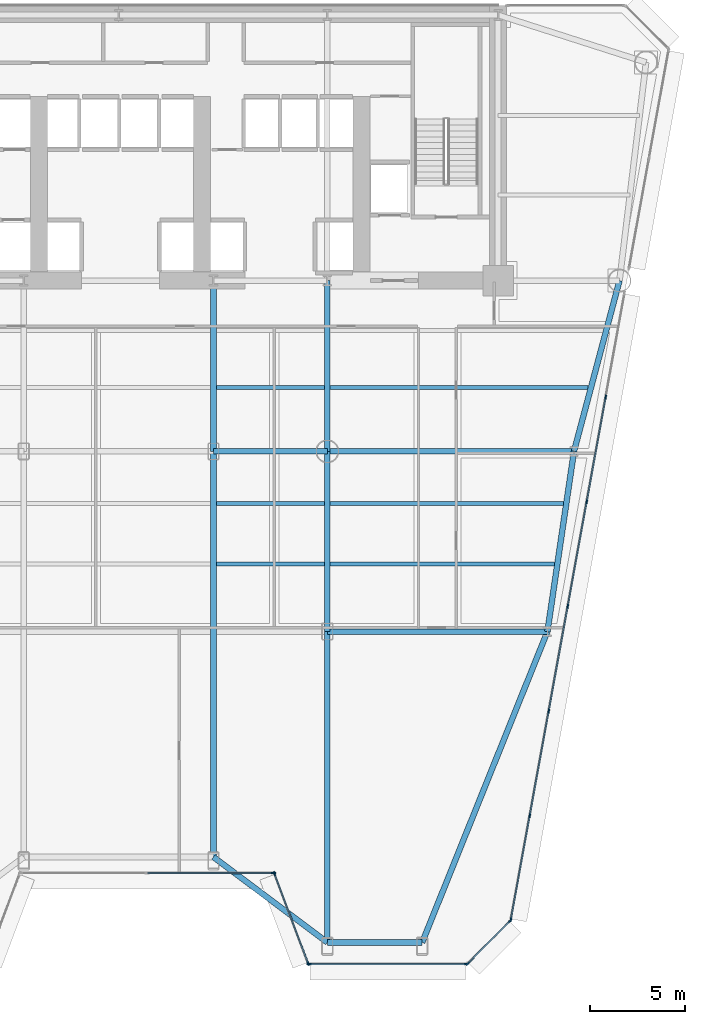
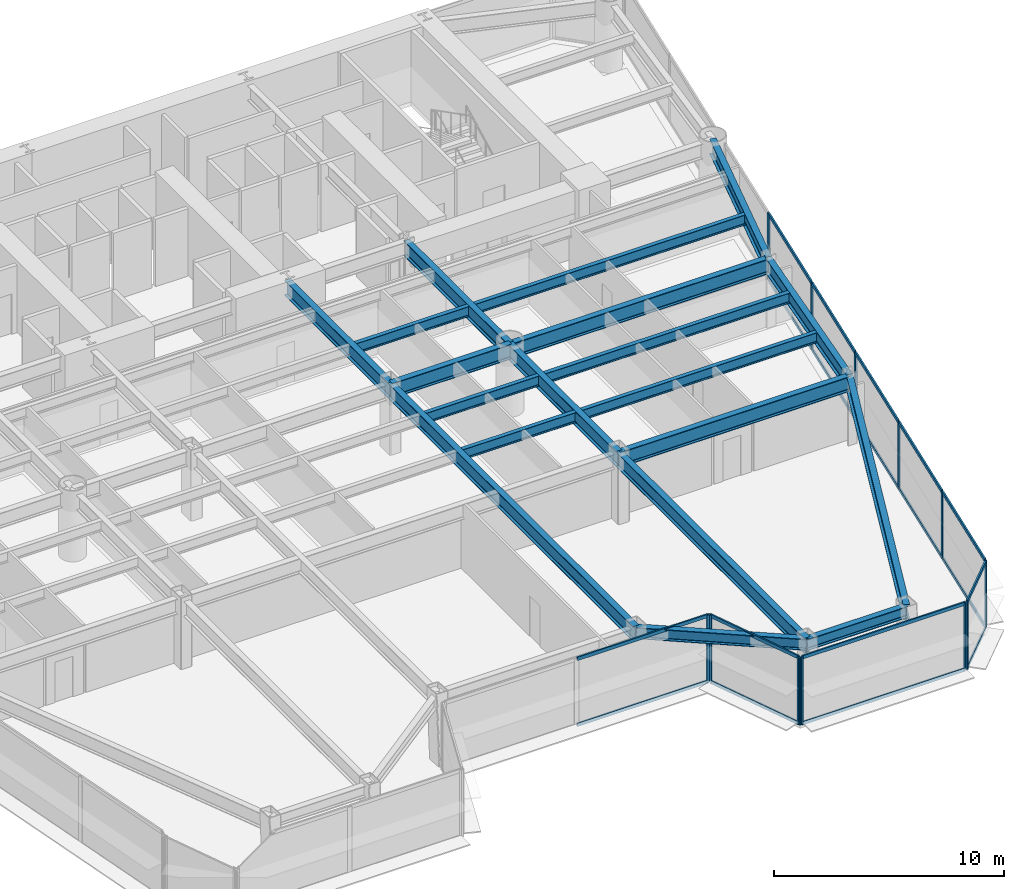
# One storey, part 4 of 14: 31 members, 19 beams, 5 elements without a shape of their own.
"""IFC4 building model written with IfcOpenShell, lengths in metres."""

from ifc_helpers import new_model, si_unit, direction, frame, origin, origin_2d, place, context, subcontext, project, spatial, rectangle, i_section, extrude, source, transform, mapped, material, layer, layer_set, material_profile, profile_set, type_object, element, aggregate, save


model = new_model("IFC4")

# Units and contexts
model_context = context("Model", 3, precision=1e-05, world=origin(), true_north=direction((0.0, 1.0)))
body_context = subcontext(model_context, "Body", "Model", "MODEL_VIEW")
ifc_project = project(units=[si_unit("LENGTHUNIT", "METRE"), si_unit("AREAUNIT", "SQUARE_METRE"), si_unit("VOLUMEUNIT", "CUBIC_METRE"), si_unit("PLANEANGLEUNIT", "RADIAN"), si_unit("MASSUNIT", "GRAM", prefix="KILO")], contexts=[model_context])

# Site, building, storey
site_placement = place(None, origin())
site = spatial("IfcSite", under=ifc_project, at=site_placement, CompositionType="ELEMENT")
building_placement = place(site_placement, origin())
building = spatial("IfcBuilding", under=site, at=building_placement, Name="Vaeldorn Concourse Tower", CompositionType="ELEMENT")
storey_placement = place(building_placement, frame((0.0, 0.0, 26.39990234375)))
storey = spatial("IfcBuildingStorey", under=building, at=storey_placement, Name="L06", CompositionType="ELEMENT", Elevation=26.39990234375)

# Beams
ifc_material_1 = material(Name="Steel S355", Category="steel")
ifc_material_profile_1 = material_profile(ifc_material_1, i_section(OverallWidth=0.300048828125, OverallDepth=0.800048828125, WebThickness=0.017578125, FlangeThickness=0.032958984375, FilletRadius=0.030029296875, at=origin_2d()), Name="HEB 800")
ifc_profile_set_1 = profile_set([ifc_material_profile_1], Name="Steel S355")
beam_type_1 = type_object("IfcBeamType", Name="BM-PG-HEB800", PredefinedType="BEAM", material=ifc_profile_set_1)
shared_shape_1 = source(origin(), body_context, "Body", "SweptSolid", [
    extrude(i_section(OverallWidth=0.300048828125, OverallDepth=0.800048828125, WebThickness=0.017578125, FlangeThickness=0.032958984375, FilletRadius=0.030029296875, at=origin_2d()), origin(), (0.0, 0.0, 1.0), 6.0),
])
beam_1_placement = place(storey_placement, frame((39.0, 27.5, 3.18017578125), z_axis=(1.0, 0.0, 0.0), x_axis=(0.0, 1.0, 0.0)))
element("IfcBeam", 1, at=beam_1_placement, inside=storey, type_object=beam_type_1, Name="Beam BM-L06-C-TW3-C-TW4", PredefinedType="BEAM", context=body_context, shape_type="MappedRepresentation", body=[
    mapped(shared_shape_1, transform((0.0, 0.0, 0.0), scale=1.0)),
])
shared_shape_2 = source(origin(), body_context, "Body", "SweptSolid", [
    extrude(i_section(OverallWidth=0.300048828125, OverallDepth=0.800048828125, WebThickness=0.017578125, FlangeThickness=0.032958984375, FilletRadius=0.030029296875, at=origin_2d()), origin(), (0.0, 0.0, 1.0), 9.0),
])
for number, where, z_axis, x_axis, name in (
    (2, (39.0, 27.5, 3.18017578125), (0.0, 1.0, 0.0), (-1.0, 0.0, 0.0), "Beam BM-L06-C-TW3-C-FC4"),
    (3, (45.0, 27.5, 3.18017578125), (0.0, 1.0, 0.0), (-1.0, 0.0, 0.0), "Beam BM-L06-C-TW4-C-FC5"),
):
    element("IfcBeam", number, at=place(storey_placement, frame(where, z_axis=z_axis, x_axis=x_axis)), inside=storey, type_object=beam_type_1, Name=name, PredefinedType="BEAM", context=body_context, shape_type="MappedRepresentation", body=[
        mapped(shared_shape_2, transform((0.0, 0.0, 0.0), scale=1.0)),
    ])
shared_shape_3 = source(origin(), body_context, "Body", "SweptSolid", [
    extrude(i_section(OverallWidth=0.300048828125, OverallDepth=0.800048828125, WebThickness=0.017578125, FlangeThickness=0.032958984375, FilletRadius=0.030029296875, at=origin_2d()), origin(), (0.0, 0.0, 1.0), 9.314453125),
])
beam_2_placement = place(storey_placement, frame((60.39990234375, 36.5, 3.18017578125), z_axis=(-0.257652862255, -0.966237549763, 0.0), x_axis=(0.966237549763, -0.257652862255, 0.0)))
element("IfcBeam", 4, at=beam_2_placement, inside=storey, type_object=beam_type_1, Name="Beam BM-L06-C-NE2-C-FLE1", PredefinedType="BEAM", context=body_context, shape_type="MappedRepresentation", body=[
    mapped(shared_shape_3, transform((0.0, 0.0, 0.0), scale=1.0)),
])
shared_shape_4 = source(origin(), body_context, "Body", "SweptSolid", [
    extrude(i_section(OverallWidth=0.300048828125, OverallDepth=0.800048828125, WebThickness=0.017578125, FlangeThickness=0.032958984375, FilletRadius=0.030029296875, at=origin_2d()), origin(), (0.0, 0.0, 1.0), 13.0),
])
beam_3_placement = place(storey_placement, frame((45.0, 27.5, 3.18017578125), z_axis=(1.0, 0.0, 0.0), x_axis=(0.0, 1.0, 0.0)))
element("IfcBeam", 5, at=beam_3_placement, inside=storey, type_object=beam_type_1, Name="Beam BM-L06-C-TW4-C-FLE1", PredefinedType="BEAM", context=body_context, shape_type="MappedRepresentation", body=[
    mapped(shared_shape_4, transform((0.0, 0.0, 0.0), scale=1.0)),
])
ifc_material_profile_2 = material_profile(ifc_material_1, i_section(OverallWidth=0.300048828125, OverallDepth=0.60009765625, WebThickness=0.015380859375, FlangeThickness=0.030029296875, FilletRadius=0.027099609375, at=origin_2d()), Name="HEB 600")
ifc_profile_set_2 = profile_set([ifc_material_profile_2], Name="Steel S355")
beam_type_2 = type_object("IfcBeamType", Name="BM-SP-HEB600", PredefinedType="SPANDREL", material=ifc_profile_set_2)
shared_shape_5 = source(origin(), body_context, "Body", "SweptSolid", [
    extrude(i_section(OverallWidth=0.300048828125, OverallDepth=0.60009765625, WebThickness=0.015380859375, FlangeThickness=0.030029296875, FilletRadius=0.027099609375, at=origin_2d()), origin(), (0.0, 0.0, 1.0), 5.0),
])
beam_4_placement = place(storey_placement, frame((45.0, 1.6171875, 3.280029296875), z_axis=(1.0, 0.0, 0.0), x_axis=(0.0, 1.0, 0.0)))
element("IfcBeam", 6, at=beam_4_placement, inside=storey, type_object=beam_type_2, Name="Beam BM-L06-C-SF5-C-SF6", PredefinedType="SPANDREL", context=body_context, shape_type="MappedRepresentation", body=[
    mapped(shared_shape_5, transform((0.0, 0.0, 0.0), scale=1.0)),
])
shared_shape_6 = source(origin(), body_context, "Body", "SweptSolid", [
    extrude(i_section(OverallWidth=0.300048828125, OverallDepth=0.60009765625, WebThickness=0.015380859375, FlangeThickness=0.030029296875, FilletRadius=0.027099609375, at=origin_2d()), origin(), (0.0, 0.0, 1.0), 7.5),
])
beam_5_placement = place(storey_placement, frame((39.0, 6.1171875, 3.280029296875), z_axis=(0.8, -0.6, 0.0), x_axis=(0.6, 0.8, 0.0)))
element("IfcBeam", 7, at=beam_5_placement, inside=storey, type_object=beam_type_2, Name="Beam BM-L06-C-SF4-C-SF5", PredefinedType="SPANDREL", context=body_context, shape_type="MappedRepresentation", body=[
    mapped(shared_shape_6, transform((0.0, 0.0, 0.0), scale=1.0)),
])
shared_shape_7 = source(origin(), body_context, "Body", "SweptSolid", [
    extrude(i_section(OverallWidth=0.300048828125, OverallDepth=0.800048828125, WebThickness=0.017578125, FlangeThickness=0.032958984375, FilletRadius=0.030029296875, at=origin_2d()), origin(), (0.0, 0.0, 1.0), 9.6025390625),
])
beam_6_placement = place(storey_placement, frame((58.0, 27.5, 3.18017578125), z_axis=(-0.145783835977, -0.989316467652, 0.0), x_axis=(0.989316467652, -0.145783835977, 0.0)))
element("IfcBeam", 8, at=beam_6_placement, inside=storey, type_object=beam_type_1, Name="Beam BM-L06-C-FLE1-C-FLE2", PredefinedType="BEAM", context=body_context, shape_type="MappedRepresentation", body=[
    mapped(shared_shape_7, transform((0.0, 0.0, 0.0), scale=1.0)),
])
shared_shape_8 = source(origin(), body_context, "Body", "SweptSolid", [
    extrude(i_section(OverallWidth=0.300048828125, OverallDepth=0.800048828125, WebThickness=0.017578125, FlangeThickness=0.032958984375, FilletRadius=0.030029296875, at=origin_2d()), origin(), (0.0, 0.0, 1.0), 11.60009765625),
])
beam_7_placement = place(storey_placement, frame((45.0, 18.0, 3.18017578125), z_axis=(1.0, 0.0, 0.0), x_axis=(0.0, 1.0, 0.0)))
element("IfcBeam", 9, at=beam_7_placement, inside=storey, type_object=beam_type_1, Name="Beam BM-L06-C-TW6-C-FLE2", PredefinedType="BEAM", context=body_context, shape_type="MappedRepresentation", body=[
    mapped(shared_shape_8, transform((0.0, 0.0, 0.0), scale=1.0)),
])
shared_shape_9 = source(origin(), body_context, "Body", "SweptSolid", [
    extrude(i_section(OverallWidth=0.300048828125, OverallDepth=0.800048828125, WebThickness=0.017578125, FlangeThickness=0.032958984375, FilletRadius=0.030029296875, at=origin_2d()), origin(), (0.0, 0.0, 1.0), 9.5),
])
beam_8_placement = place(storey_placement, frame((45.0, 18.0, 3.18017578125), z_axis=(0.0, 1.0, 0.0), x_axis=(-1.0, 0.0, 0.0)))
element("IfcBeam", 10, at=beam_8_placement, inside=storey, type_object=beam_type_1, Name="Beam BM-L06-C-TW6-C-TW4", PredefinedType="BEAM", context=body_context, shape_type="MappedRepresentation", body=[
    mapped(shared_shape_9, transform((0.0, 0.0, 0.0), scale=1.0)),
])
ifc_material_profile_3 = material_profile(ifc_material_1, i_section(OverallWidth=0.2099609375, OverallDepth=0.550048828125, WebThickness=0.010986328125, FlangeThickness=0.01708984375, FilletRadius=0.02392578125, at=origin_2d()), Name="IPE 550")
ifc_profile_set_3 = profile_set([ifc_material_profile_3], Name="Steel S355")
beam_type_3 = type_object("IfcBeamType", Name="BM-JS-IPE550", PredefinedType="JOIST", material=ifc_profile_set_3)
shared_shape_10 = source(origin(), body_context, "Body", "SweptSolid", [
    extrude(i_section(OverallWidth=0.2099609375, OverallDepth=0.550048828125, WebThickness=0.010986328125, FlangeThickness=0.01708984375, FilletRadius=0.02392578125, at=origin_2d()), origin(), (0.0, 0.0, 1.0), 5.7001953125),
])
for number, where, z_axis, x_axis, name in (
    (11, (39.14990234375, 21.56005859375, 3.30517578125), (1.0, 0.0, 0.0), (0.0, 1.0, 0.0), "Beam JS-L06-E2-215"),
    (12, (39.14990234375, 24.760009765625, 3.30517578125), (1.0, 0.0, 0.0), (0.0, 1.0, 0.0), "Beam JS-L06-E2-247"),
    (13, (39.14990234375, 30.860107421875, 3.30517578125), (1.0, 0.0, 0.0), (0.0, 1.0, 0.0), "Beam JS-L06-E2-308"),
):
    element("IfcBeam", number, at=place(storey_placement, frame(where, z_axis=z_axis, x_axis=x_axis)), inside=storey, type_object=beam_type_3, Name=name, PredefinedType="JOIST", context=body_context, shape_type="MappedRepresentation", body=[
        mapped(shared_shape_10, transform((0.0, 0.0, 0.0), scale=1.0)),
    ])
shared_shape_11 = source(origin(), body_context, "Body", "SweptSolid", [
    extrude(i_section(OverallWidth=0.300048828125, OverallDepth=0.800048828125, WebThickness=0.017578125, FlangeThickness=0.032958984375, FilletRadius=0.030029296875, at=origin_2d()), origin(), (0.0, 0.0, 1.0), 17.662353515625),
])
beam_9_placement = place(storey_placement, frame((50.0, 1.6171875, 3.18017578125), z_axis=(0.373682201624, 0.927556797285, 0.0), x_axis=(-0.927556797285, 0.373682201624, 0.0)))
element("IfcBeam", 14, at=beam_9_placement, inside=storey, type_object=beam_type_1, Name="Beam BM-L06-C-SF6-C-FLE2", PredefinedType="BEAM", context=body_context, shape_type="MappedRepresentation", body=[
    mapped(shared_shape_11, transform((0.0, 0.0, 0.0), scale=1.0)),
])
shared_shape_12 = source(origin(), body_context, "Body", "SweptSolid", [
    extrude(i_section(OverallWidth=0.300048828125, OverallDepth=0.800048828125, WebThickness=0.017578125, FlangeThickness=0.032958984375, FilletRadius=0.030029296875, at=origin_2d()), origin(), (0.0, 0.0, 1.0), 16.3828125),
])
beam_10_placement = place(storey_placement, frame((45.0, 1.6171875, 3.18017578125), z_axis=(0.0, 1.0, 0.0), x_axis=(-1.0, 0.0, 0.0)))
element("IfcBeam", 15, at=beam_10_placement, inside=storey, type_object=beam_type_1, Name="Beam BM-L06-C-SF5-C-TW6", PredefinedType="BEAM", context=body_context, shape_type="MappedRepresentation", body=[
    mapped(shared_shape_12, transform((0.0, 0.0, 0.0), scale=1.0)),
])
shared_shape_13 = source(origin(), body_context, "Body", "SweptSolid", [
    extrude(i_section(OverallWidth=0.300048828125, OverallDepth=0.800048828125, WebThickness=0.017578125, FlangeThickness=0.032958984375, FilletRadius=0.030029296875, at=origin_2d()), origin(), (0.0, 0.0, 1.0), 21.3828125),
])
beam_11_placement = place(storey_placement, frame((39.0, 6.1171875, 3.18017578125), z_axis=(0.0, 1.0, 0.0), x_axis=(-1.0, 0.0, 0.0)))
element("IfcBeam", 16, at=beam_11_placement, inside=storey, type_object=beam_type_1, Name="Beam BM-L06-C-SF4-C-TW3", PredefinedType="BEAM", context=body_context, shape_type="MappedRepresentation", body=[
    mapped(shared_shape_13, transform((0.0, 0.0, 0.0), scale=1.0)),
])
shared_shape_14 = source(origin(), body_context, "Body", "SweptSolid", [
    extrude(i_section(OverallWidth=0.2099609375, OverallDepth=0.550048828125, WebThickness=0.010986328125, FlangeThickness=0.01708984375, FilletRadius=0.02392578125, at=origin_2d()), origin(), (0.0, 0.0, 1.0), 11.82470703125),
])
beam_12_placement = place(storey_placement, frame((45.14990234375, 21.56005859375, 3.30517578125), z_axis=(1.0, 0.0, 0.0), x_axis=(0.0, 1.0, 0.0)))
element("IfcBeam", 17, at=beam_12_placement, inside=storey, type_object=beam_type_3, Name="Beam JS-L06-E1-215", PredefinedType="JOIST", context=body_context, shape_type="MappedRepresentation", body=[
    mapped(shared_shape_14, transform((0.0, 0.0, 0.0), scale=1.0)),
])
shared_shape_15 = source(origin(), body_context, "Body", "SweptSolid", [
    extrude(i_section(OverallWidth=0.2099609375, OverallDepth=0.550048828125, WebThickness=0.010986328125, FlangeThickness=0.01708984375, FilletRadius=0.02392578125, at=origin_2d()), origin(), (0.0, 0.0, 1.0), 12.29638671875),
])
beam_13_placement = place(storey_placement, frame((45.14990234375, 24.760009765625, 3.30517578125), z_axis=(1.0, 0.0, 0.0), x_axis=(0.0, 1.0, 0.0)))
element("IfcBeam", 18, at=beam_13_placement, inside=storey, type_object=beam_type_3, Name="Beam JS-L06-E1-247", PredefinedType="JOIST", context=body_context, shape_type="MappedRepresentation", body=[
    mapped(shared_shape_15, transform((0.0, 0.0, 0.0), scale=1.0)),
])
shared_shape_16 = source(origin(), body_context, "Body", "SweptSolid", [
    extrude(i_section(OverallWidth=0.2099609375, OverallDepth=0.550048828125, WebThickness=0.010986328125, FlangeThickness=0.01708984375, FilletRadius=0.02392578125, at=origin_2d()), origin(), (0.0, 0.0, 1.0), 13.59619140625),
])
beam_14_placement = place(storey_placement, frame((45.14990234375, 30.860107421875, 3.30517578125), z_axis=(1.0, 0.0, 0.0), x_axis=(0.0, 1.0, 0.0)))
element("IfcBeam", 19, at=beam_14_placement, inside=storey, type_object=beam_type_3, Name="Beam JS-L06-E1-308", PredefinedType="JOIST", context=body_context, shape_type="MappedRepresentation", body=[
    mapped(shared_shape_16, transform((0.0, 0.0, 0.0), scale=1.0)),
])

# Curtain wall, members
ifc_material_2 = material(Name="Anodised Bronze Aluminium", Category="aluminium")
ifc_layer = layer(ifc_material_2, 0.219970703125)
ifc_layer_set = layer_set([ifc_layer], Name="Anodised Bronze Aluminium")
curtain_wall_type = type_object("IfcCurtainWallType", Name="CW-SYS-01", PredefinedType="NOTDEFINED", material=ifc_layer_set)
curtain_wall_1_placement = place(storey_placement, origin())
curtain_wall_1 = element("IfcCurtainWall", 20, at=curtain_wall_1_placement, inside=storey, type_object=curtain_wall_type, Name="Unitised Curtain Wall CW-L06-E03-1", PredefinedType="NOTDEFINED")
ifc_material_profile_4 = material_profile(ifc_material_2, rectangle(XDim=0.074951171875, YDim=0.179931640625, at=origin_2d()), Name="CWT 75x180")
ifc_profile_set_4 = profile_set([ifc_material_profile_4], Name="Anodised Bronze Aluminium")
member_type_1 = type_object("IfcMemberType", Name="CWT-BRONZE-180", PredefinedType="USERDEFINED", material=ifc_profile_set_4)
shared_shape_17 = source(origin(), body_context, "Body", "SweptSolid", [
    extrude(rectangle(XDim=0.074951171875, YDim=0.179931640625, at=origin_2d()), origin(), (0.0, 0.0, 1.0), 6.58740234375),
])
member_1_placement = place(storey_placement, frame((35.53759765625, 5.2783203125, 0.03759765625), z_axis=(1.0, 0.0, 0.0), x_axis=(0.0, 1.0, 0.0)))
member_1 = element("IfcMember", 21, at=member_1_placement, type_object=member_type_1, Name="CW-01 transom 2.1", ObjectType="TRANSOM", PredefinedType="USERDEFINED", context=body_context, shape_type="MappedRepresentation", body=[
    mapped(shared_shape_17, transform((0.0, 0.0, 0.0), scale=1.0)),
])
member_2_placement = place(storey_placement, frame((35.53759765625, 5.2783203125, 3.54248046875), z_axis=(1.0, 0.0, 0.0), x_axis=(0.0, 1.0, 0.0)))
member_2 = element("IfcMember", 22, at=member_2_placement, type_object=member_type_1, Name="CW-01 transom 2.2", ObjectType="TRANSOM", PredefinedType="USERDEFINED", context=body_context, shape_type="MappedRepresentation", body=[
    mapped(shared_shape_17, transform((0.0, 0.0, 0.0), scale=1.0)),
])

curtain_wall_2_placement = place(storey_placement, origin())
curtain_wall_2 = element("IfcCurtainWall", 23, at=curtain_wall_2_placement, inside=storey, type_object=curtain_wall_type, Name="Unitised Curtain Wall CW-L06-E04-1", PredefinedType="NOTDEFINED")
shared_shape_18 = source(origin(), body_context, "Body", "SweptSolid", [
    extrude(rectangle(XDim=0.074951171875, YDim=0.179931640625, at=origin_2d()), origin(), (0.0, 0.0, 1.0), 4.9765625),
])
member_3_placement = place(storey_placement, frame((42.226318359375, 5.2080078125, 0.03759765625), z_axis=(0.351112688987, -0.936333209724, 0.0), x_axis=(0.936333209724, 0.351112688987, 0.0)))
member_3 = element("IfcMember", 24, at=member_3_placement, type_object=member_type_1, Name="CW-01 transom 1.1", ObjectType="TRANSOM", PredefinedType="USERDEFINED", context=body_context, shape_type="MappedRepresentation", body=[
    mapped(shared_shape_18, transform((0.0, 0.0, 0.0), scale=1.0)),
])
member_4_placement = place(storey_placement, frame((42.226318359375, 5.2080078125, 3.54248046875), z_axis=(0.351112688987, -0.936333209724, 0.0), x_axis=(0.936333209724, 0.351112688987, 0.0)))
member_4 = element("IfcMember", 25, at=member_4_placement, type_object=member_type_1, Name="CW-01 transom 1.2", ObjectType="TRANSOM", PredefinedType="USERDEFINED", context=body_context, shape_type="MappedRepresentation", body=[
    mapped(shared_shape_18, transform((0.0, 0.0, 0.0), scale=1.0)),
])

# Member
ifc_material_profile_5 = material_profile(ifc_material_2, rectangle(XDim=0.074951171875, YDim=0.219970703125, at=origin_2d()), Name="CWM 75x220")
ifc_profile_set_5 = profile_set([ifc_material_profile_5], Name="Anodised Bronze Aluminium")
member_type_2 = type_object("IfcMemberType", Name="CWM-BRONZE-220", PredefinedType="MULLION", material=ifc_profile_set_5)
shared_shape_19 = source(origin(), body_context, "Body", "SweptSolid", [
    extrude(rectangle(XDim=0.074951171875, YDim=0.219970703125, at=origin_2d()), origin(), (0.0, 0.0, 1.0), 3.580078125),
])
member_5_placement = place(storey_placement, frame((42.16259765625, 5.2783203125, 0.0), z_axis=(0.0, 0.0, 1.0), x_axis=(0.0, 1.0, 0.0)))
member_5 = element("IfcMember", 26, at=member_5_placement, type_object=member_type_2, Name="CW-01 mullion 3", PredefinedType="MULLION", context=body_context, shape_type="MappedRepresentation", body=[
    mapped(shared_shape_19, transform((0.0, 0.0, 0.0), scale=1.0)),
])

aggregate(curtain_wall_1, [member_5, member_1, member_2])

member_6_placement = place(storey_placement, frame((42.213134765625, 5.2431640625, 0.0), z_axis=(0.0, 0.0, 1.0), x_axis=(0.936329177566, 0.351123441595, 0.0)))
member_6 = element("IfcMember", 27, at=member_6_placement, type_object=member_type_2, Name="CW-01 mullion 1", PredefinedType="MULLION", context=body_context, shape_type="MappedRepresentation", body=[
    mapped(shared_shape_19, transform((0.0, 0.0, 0.0), scale=1.0)),
])

member_7_placement = place(storey_placement, frame((43.98681640625, 0.513427734375, 0.0), z_axis=(0.0, 0.0, 1.0), x_axis=(0.936329177566, 0.351123441595, 0.0)))
member_7 = element("IfcMember", 28, at=member_7_placement, type_object=member_type_2, Name="CW-01 mullion 2", PredefinedType="MULLION", context=body_context, shape_type="MappedRepresentation", body=[
    mapped(shared_shape_19, transform((0.0, 0.0, 0.0), scale=1.0)),
])

aggregate(curtain_wall_2, [member_6, member_7, member_3, member_4])

# Curtain wall, members
curtain_wall_3_placement = place(storey_placement, origin())
curtain_wall_3 = element("IfcCurtainWall", 29, at=curtain_wall_3_placement, inside=storey, type_object=curtain_wall_type, Name="Unitised Curtain Wall CW-L06-E05-1", PredefinedType="NOTDEFINED")
member_8_placement = place(storey_placement, frame((44.03759765625, 0.478271484375, 0.0), z_axis=(0.0, 0.0, 1.0), x_axis=(0.0, 1.0, 0.0)))
member_8 = element("IfcMember", 30, at=member_8_placement, type_object=member_type_2, Name="CW-01 mullion 1", PredefinedType="MULLION", context=body_context, shape_type="MappedRepresentation", body=[
    mapped(shared_shape_19, transform((0.0, 0.0, 0.0), scale=1.0)),
])
member_9_placement = place(storey_placement, frame((52.326416015625, 0.478271484375, 0.0), z_axis=(0.0, 0.0, 1.0), x_axis=(0.0, 1.0, 0.0)))
member_9 = element("IfcMember", 31, at=member_9_placement, type_object=member_type_2, Name="CW-01 mullion 2", PredefinedType="MULLION", context=body_context, shape_type="MappedRepresentation", body=[
    mapped(shared_shape_19, transform((0.0, 0.0, 0.0), scale=1.0)),
])

curtain_wall_4_placement = place(storey_placement, origin())
curtain_wall_4 = element("IfcCurtainWall", 32, at=curtain_wall_4_placement, inside=storey, type_object=curtain_wall_type, Name="Unitised Curtain Wall CW-L06-E06-1", PredefinedType="NOTDEFINED")
member_10_placement = place(storey_placement, frame((52.390380859375, 0.504638671875, 0.0), z_axis=(0.0, 0.0, 1.0), x_axis=(-0.707106781187, 0.707106781187, 0.0)))
member_10 = element("IfcMember", 33, at=member_10_placement, type_object=member_type_2, Name="CW-01 mullion 1", PredefinedType="MULLION", context=body_context, shape_type="MappedRepresentation", body=[
    mapped(shared_shape_19, transform((0.0, 0.0, 0.0), scale=1.0)),
])
member_11_placement = place(storey_placement, frame((54.637451171875, 2.751708984375, 0.0), z_axis=(0.0, 0.0, 1.0), x_axis=(-0.707106781187, 0.707106781187, 0.0)))
member_11 = element("IfcMember", 34, at=member_11_placement, type_object=member_type_2, Name="CW-01 mullion 2", PredefinedType="MULLION", context=body_context, shape_type="MappedRepresentation", body=[
    mapped(shared_shape_19, transform((0.0, 0.0, 0.0), scale=1.0)),
])

curtain_wall_5_placement = place(storey_placement, origin())
curtain_wall_5 = element("IfcCurtainWall", 35, at=curtain_wall_5_placement, inside=storey, type_object=curtain_wall_type, Name="Unitised Curtain Wall CW-L06-E07-1", PredefinedType="NOTDEFINED")
member_12_placement = place(storey_placement, frame((54.670654296875, 2.815185546875, 0.0), z_axis=(0.0, 0.0, 1.0), x_axis=(-0.983920092351, 0.178609215521, 0.0)))
member_12 = element("IfcMember", 36, at=member_12_placement, type_object=member_type_2, Name="CW-01 mullion 1", PredefinedType="MULLION", context=body_context, shape_type="MappedRepresentation", body=[
    mapped(shared_shape_19, transform((0.0, 0.0, 0.0), scale=1.0)),
])
member_13_placement = place(storey_placement, frame((55.665283203125, 8.295166015625, 0.0), z_axis=(0.0, 0.0, 1.0), x_axis=(-0.983920092351, 0.178609215521, 0.0)))
member_13 = element("IfcMember", 37, at=member_13_placement, type_object=member_type_2, Name="CW-01 mullion 2", PredefinedType="MULLION", context=body_context, shape_type="MappedRepresentation", body=[
    mapped(shared_shape_19, transform((0.0, 0.0, 0.0), scale=1.0)),
])
member_14_placement = place(storey_placement, frame((56.6669921875, 13.812255859375, 0.0), z_axis=(0.0, 0.0, 1.0), x_axis=(-0.983920092351, 0.178609215521, 0.0)))
member_14 = element("IfcMember", 38, at=member_14_placement, type_object=member_type_2, Name="CW-01 mullion 3", PredefinedType="MULLION", context=body_context, shape_type="MappedRepresentation", body=[
    mapped(shared_shape_19, transform((0.0, 0.0, 0.0), scale=1.0)),
])
member_15_placement = place(storey_placement, frame((57.66845703125, 19.329345703125, 0.0), z_axis=(0.0, 0.0, 1.0), x_axis=(-0.983920092351, 0.178609215521, 0.0)))
member_15 = element("IfcMember", 39, at=member_15_placement, type_object=member_type_2, Name="CW-01 mullion 4", PredefinedType="MULLION", context=body_context, shape_type="MappedRepresentation", body=[
    mapped(shared_shape_19, transform((0.0, 0.0, 0.0), scale=1.0)),
])
member_16_placement = place(storey_placement, frame((58.669921875, 24.846435546875, 0.0), z_axis=(0.0, 0.0, 1.0), x_axis=(-0.983920092351, 0.178609215521, 0.0)))
member_16 = element("IfcMember", 40, at=member_16_placement, type_object=member_type_2, Name="CW-01 mullion 5", PredefinedType="MULLION", context=body_context, shape_type="MappedRepresentation", body=[
    mapped(shared_shape_19, transform((0.0, 0.0, 0.0), scale=1.0)),
])
member_17_placement = place(storey_placement, frame((59.67138671875, 30.363525390625, 0.0), z_axis=(0.0, 0.0, 1.0), x_axis=(-0.983920092351, 0.178609215521, 0.0)))
member_17 = element("IfcMember", 41, at=member_17_placement, type_object=member_type_2, Name="CW-01 mullion 6", PredefinedType="MULLION", context=body_context, shape_type="MappedRepresentation", body=[
    mapped(shared_shape_19, transform((0.0, 0.0, 0.0), scale=1.0)),
])

# Member
shared_shape_20 = source(origin(), body_context, "Body", "SweptSolid", [
    extrude(rectangle(XDim=0.074951171875, YDim=0.179931640625, at=origin_2d()), origin(), (0.0, 0.0, 1.0), 8.2138671875),
])
member_18_placement = place(storey_placement, frame((44.074951171875, 0.478271484375, 0.03759765625), z_axis=(1.0, 0.0, 0.0), x_axis=(0.0, 1.0, 0.0)))
member_18 = element("IfcMember", 42, at=member_18_placement, type_object=member_type_1, Name="CW-01 transom 1.1", ObjectType="TRANSOM", PredefinedType="USERDEFINED", context=body_context, shape_type="MappedRepresentation", body=[
    mapped(shared_shape_20, transform((0.0, 0.0, 0.0), scale=1.0)),
])

member_19_placement = place(storey_placement, frame((44.074951171875, 0.478271484375, 3.54248046875), z_axis=(1.0, 0.0, 0.0), x_axis=(0.0, 1.0, 0.0)))
member_19 = element("IfcMember", 43, at=member_19_placement, type_object=member_type_1, Name="CW-01 transom 1.2", ObjectType="TRANSOM", PredefinedType="USERDEFINED", context=body_context, shape_type="MappedRepresentation", body=[
    mapped(shared_shape_20, transform((0.0, 0.0, 0.0), scale=1.0)),
])

aggregate(curtain_wall_3, [member_8, member_9, member_18, member_19])

shared_shape_21 = source(origin(), body_context, "Body", "SweptSolid", [
    extrude(rectangle(XDim=0.074951171875, YDim=0.179931640625, at=origin_2d()), origin(), (0.0, 0.0, 1.0), 3.1025390625),
])
member_20_placement = place(storey_placement, frame((52.4169921875, 0.53125, 0.03759765625), z_axis=(0.707106781187, 0.707106781187, 0.0), x_axis=(-0.707106781187, 0.707106781187, 0.0)))
member_20 = element("IfcMember", 44, at=member_20_placement, type_object=member_type_1, Name="CW-01 transom 1.1", ObjectType="TRANSOM", PredefinedType="USERDEFINED", context=body_context, shape_type="MappedRepresentation", body=[
    mapped(shared_shape_21, transform((0.0, 0.0, 0.0), scale=1.0)),
])

member_21_placement = place(storey_placement, frame((52.4169921875, 0.53125, 3.54248046875), z_axis=(0.707106781187, 0.707106781187, 0.0), x_axis=(-0.707106781187, 0.707106781187, 0.0)))
member_21 = element("IfcMember", 45, at=member_21_placement, type_object=member_type_1, Name="CW-01 transom 1.2", ObjectType="TRANSOM", PredefinedType="USERDEFINED", context=body_context, shape_type="MappedRepresentation", body=[
    mapped(shared_shape_21, transform((0.0, 0.0, 0.0), scale=1.0)),
])

aggregate(curtain_wall_4, [member_10, member_11, member_20, member_21])

shared_shape_22 = source(origin(), body_context, "Body", "SweptSolid", [
    extrude(rectangle(XDim=0.074951171875, YDim=0.179931640625, at=origin_2d()), origin(), (0.0, 0.0, 1.0), 5.49462890625),
])
member_22_placement = place(storey_placement, frame((54.67724609375, 2.85205078125, 0.03759765625), z_axis=(0.178619546254, 0.983918216975, 0.0), x_axis=(-0.983918216975, 0.178619546254, 0.0)))
member_22 = element("IfcMember", 46, at=member_22_placement, type_object=member_type_1, Name="CW-01 transom 1.1", ObjectType="TRANSOM", PredefinedType="USERDEFINED", context=body_context, shape_type="MappedRepresentation", body=[
    mapped(shared_shape_22, transform((0.0, 0.0, 0.0), scale=1.0)),
])

member_23_placement = place(storey_placement, frame((54.67724609375, 2.85205078125, 3.54248046875), z_axis=(0.178619546254, 0.983918216975, 0.0), x_axis=(-0.983918216975, 0.178619546254, 0.0)))
member_23 = element("IfcMember", 47, at=member_23_placement, type_object=member_type_1, Name="CW-01 transom 1.2", ObjectType="TRANSOM", PredefinedType="USERDEFINED", context=body_context, shape_type="MappedRepresentation", body=[
    mapped(shared_shape_22, transform((0.0, 0.0, 0.0), scale=1.0)),
])

shared_shape_23 = source(origin(), body_context, "Body", "SweptSolid", [
    extrude(rectangle(XDim=0.074951171875, YDim=0.179931640625, at=origin_2d()), origin(), (0.0, 0.0, 1.0), 5.5322265625),
])
member_24_placement = place(storey_placement, frame((55.672119140625, 8.33203125, 0.03759765625), z_axis=(0.17859417226, 0.983922823007, 0.0), x_axis=(-0.983922823007, 0.17859417226, 0.0)))
member_24 = element("IfcMember", 48, at=member_24_placement, type_object=member_type_1, Name="CW-01 transom 2.1", ObjectType="TRANSOM", PredefinedType="USERDEFINED", context=body_context, shape_type="MappedRepresentation", body=[
    mapped(shared_shape_23, transform((0.0, 0.0, 0.0), scale=1.0)),
])

member_25_placement = place(storey_placement, frame((55.672119140625, 8.33203125, 3.54248046875), z_axis=(0.17859417226, 0.983922823007, 0.0), x_axis=(-0.983922823007, 0.17859417226, 0.0)))
member_25 = element("IfcMember", 49, at=member_25_placement, type_object=member_type_1, Name="CW-01 transom 2.2", ObjectType="TRANSOM", PredefinedType="USERDEFINED", context=body_context, shape_type="MappedRepresentation", body=[
    mapped(shared_shape_23, transform((0.0, 0.0, 0.0), scale=1.0)),
])

member_26_placement = place(storey_placement, frame((56.673583984375, 13.84912109375, 0.03759765625), z_axis=(0.17859417226, 0.983922823007, 0.0), x_axis=(-0.983922823007, 0.17859417226, 0.0)))
member_26 = element("IfcMember", 50, at=member_26_placement, type_object=member_type_1, Name="CW-01 transom 3.1", ObjectType="TRANSOM", PredefinedType="USERDEFINED", context=body_context, shape_type="MappedRepresentation", body=[
    mapped(shared_shape_23, transform((0.0, 0.0, 0.0), scale=1.0)),
])

member_27_placement = place(storey_placement, frame((56.673583984375, 13.84912109375, 3.54248046875), z_axis=(0.17859417226, 0.983922823007, 0.0), x_axis=(-0.983922823007, 0.17859417226, 0.0)))
member_27 = element("IfcMember", 51, at=member_27_placement, type_object=member_type_1, Name="CW-01 transom 3.2", ObjectType="TRANSOM", PredefinedType="USERDEFINED", context=body_context, shape_type="MappedRepresentation", body=[
    mapped(shared_shape_23, transform((0.0, 0.0, 0.0), scale=1.0)),
])

member_28_placement = place(storey_placement, frame((57.675048828125, 19.3662109375, 0.03759765625), z_axis=(0.17859417226, 0.983922823007, 0.0), x_axis=(-0.983922823007, 0.17859417226, 0.0)))
member_28 = element("IfcMember", 52, at=member_28_placement, type_object=member_type_1, Name="CW-01 transom 4.1", ObjectType="TRANSOM", PredefinedType="USERDEFINED", context=body_context, shape_type="MappedRepresentation", body=[
    mapped(shared_shape_23, transform((0.0, 0.0, 0.0), scale=1.0)),
])

member_29_placement = place(storey_placement, frame((57.675048828125, 19.3662109375, 3.54248046875), z_axis=(0.17859417226, 0.983922823007, 0.0), x_axis=(-0.983922823007, 0.17859417226, 0.0)))
member_29 = element("IfcMember", 53, at=member_29_placement, type_object=member_type_1, Name="CW-01 transom 4.2", ObjectType="TRANSOM", PredefinedType="USERDEFINED", context=body_context, shape_type="MappedRepresentation", body=[
    mapped(shared_shape_23, transform((0.0, 0.0, 0.0), scale=1.0)),
])

member_30_placement = place(storey_placement, frame((58.676513671875, 24.88330078125, 0.03759765625), z_axis=(0.178636894205, 0.983915067487, 0.0), x_axis=(-0.983915067487, 0.178636894205, 0.0)))
member_30 = element("IfcMember", 54, at=member_30_placement, type_object=member_type_1, Name="CW-01 transom 5.1", ObjectType="TRANSOM", PredefinedType="USERDEFINED", context=body_context, shape_type="MappedRepresentation", body=[
    mapped(shared_shape_23, transform((0.0, 0.0, 0.0), scale=1.0)),
])

member_31_placement = place(storey_placement, frame((58.676513671875, 24.88330078125, 3.54248046875), z_axis=(0.178636894205, 0.983915067487, 0.0), x_axis=(-0.983915067487, 0.178636894205, 0.0)))
member_31 = element("IfcMember", 55, at=member_31_placement, type_object=member_type_1, Name="CW-01 transom 5.2", ObjectType="TRANSOM", PredefinedType="USERDEFINED", context=body_context, shape_type="MappedRepresentation", body=[
    mapped(shared_shape_23, transform((0.0, 0.0, 0.0), scale=1.0)),
])

aggregate(curtain_wall_5, [member_12, member_13, member_14, member_15, member_16, member_17, member_22, member_23, member_24, member_25, member_26, member_27, member_28, member_29, member_30, member_31])

save(model, "model.ifc")
